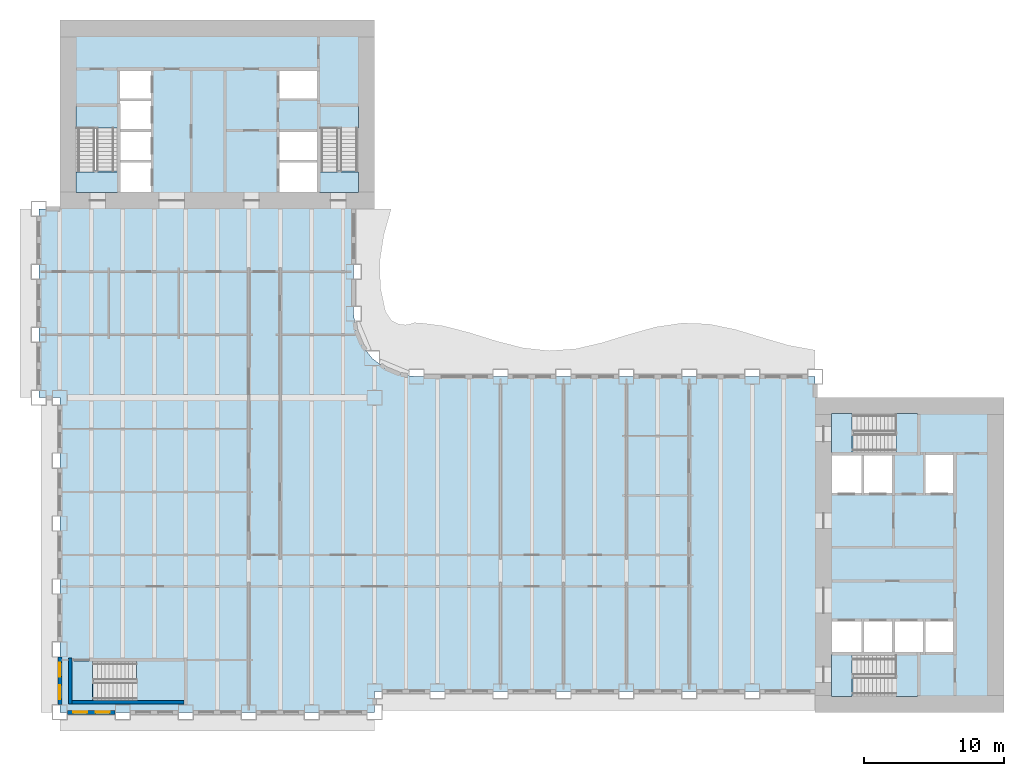
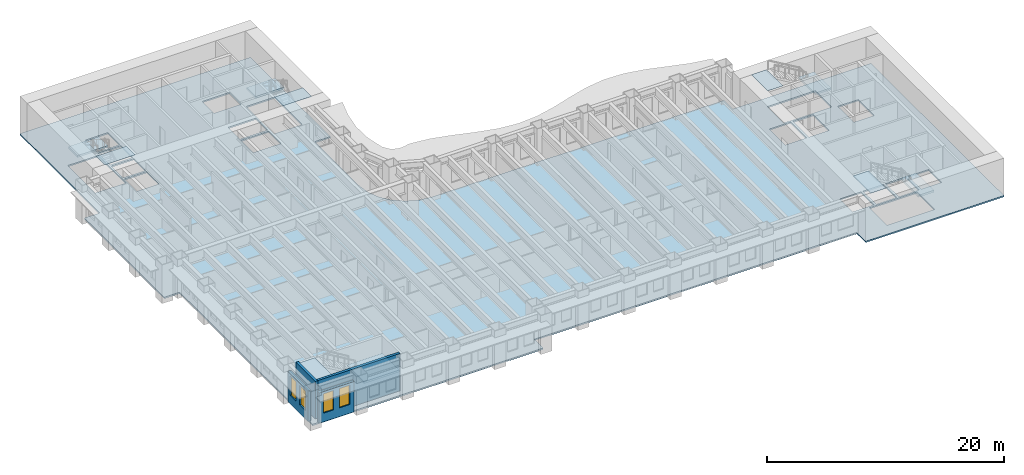
# One storey, part 2 of 15: 11 slabs, 4 walls, 4 windows, 4 openings, 5 elements without a shape of their own.
"""IFC4 building model written with IfcOpenShell, lengths in metres."""

from ifc_helpers import new_model, si_unit, direction, frame, frame_2d, origin, place, context, subcontext, project, spatial, polyline, rectangle, outline, extrude, material, layer, layer_set, type_object, element, fill, aggregate, save


model = new_model("IFC4")

# Units and contexts
model_context = context("Model", 3, precision=1e-05, world=origin(), true_north=direction((0.0, 1.0)))
body_context = subcontext(model_context, "Body", "Model", "MODEL_VIEW")
ifc_project = project(units=[si_unit("LENGTHUNIT", "METRE"), si_unit("AREAUNIT", "SQUARE_METRE"), si_unit("VOLUMEUNIT", "CUBIC_METRE"), si_unit("PLANEANGLEUNIT", "RADIAN"), si_unit("MASSUNIT", "GRAM", prefix="KILO")], contexts=[model_context])

# Site, building, storey
site_placement = place(None, origin())
site = spatial("IfcSite", under=ifc_project, at=site_placement, CompositionType="ELEMENT")
building_placement = place(site_placement, origin())
building = spatial("IfcBuilding", under=site, at=building_placement, Name="Sennacour Bend Tower", CompositionType="ELEMENT")
storey_placement = place(building_placement, frame((0.0, 0.0, 65.0)))
storey = spatial("IfcBuildingStorey", under=building, at=storey_placement, Name="L14", CompositionType="ELEMENT", Elevation=65.0)

# Slabs
ifc_material_1 = material(Name="Concrete C30/37", Category="concrete")
ifc_layer_1 = layer(ifc_material_1, 0.14990234375, Name="Concrete C30/37", Category="concrete")
ifc_layer_set_1 = layer_set([ifc_layer_1], Name="Concrete C30/37")
slab_type_1 = type_object("IfcSlabType", Name="Floor slab 150", PredefinedType="FLOOR", material=ifc_layer_set_1)
slab_1_placement = place(storey_placement, frame((0.0, 0.0, -0.14990234375)))
element("IfcSlab", 1, at=slab_1_placement, inside=storey, type_object=slab_type_1, Name="Floor slab L14-01", PredefinedType="FLOOR", context=body_context, shape_type="SweptSolid", body=[
    extrude(outline(polyline([(0.0, 22.5), (-1.5, 22.5), (-1.5, 36.0), (0.0, 36.0), (0.0, 49.5), (22.5, 49.5), (22.5, 36.0), (21.0, 36.0), (21.0, 28.5), (21.1533203125, 27.335205078125), (21.602783203125, 26.25), (22.318115234375, 25.318115234375), (23.25, 24.602783203125), (24.335205078125, 24.1533203125), (25.5, 24.0), (54.0, 24.0), (54.0, 22.5), (67.5, 22.5), (67.5, 0.0), (54.0, 0.0), (54.0, 1.5), (22.5, 1.5), (22.5, 0.0), (0.0, 0.0), (0.0, 22.5)]), holes=[polyline([(8.800048828125, 0.949951171875), (8.800048828125, 3.5), (2.429931640625, 3.5), (2.429931640625, 0.949951171875), (8.800048828125, 0.949951171875)]), polyline([(6.5, 37.199951171875), (6.5, 39.300048828125), (4.300048828125, 39.300048828125), (4.300048828125, 37.199951171875), (6.5, 37.199951171875)]), polyline([(18.39990234375, 37.199951171875), (18.39990234375, 39.300048828125), (15.699951171875, 39.300048828125), (15.699951171875, 37.199951171875), (18.39990234375, 37.199951171875)]), polyline([(6.5, 39.5), (6.5, 41.5), (4.300048828125, 41.5), (4.300048828125, 39.5), (6.5, 39.5)]), polyline([(18.39990234375, 39.5), (18.39990234375, 41.5), (15.699951171875, 41.5), (15.699951171875, 39.5), (18.39990234375, 39.5)]), polyline([(4.125, 38.72998046875), (4.125, 43.39990234375), (1.14990234375, 43.39990234375), (1.14990234375, 38.72998046875), (4.125, 38.72998046875)]), polyline([(21.35009765625, 38.72998046875), (21.35009765625, 43.39990234375), (18.574951171875, 43.39990234375), (18.574951171875, 38.72998046875), (21.35009765625, 38.72998046875)]), polyline([(4.300048828125, 41.699951171875), (6.5, 41.699951171875), (6.5, 43.699951171875), (4.300048828125, 43.699951171875), (4.300048828125, 41.699951171875)]), polyline([(4.300048828125, 43.89990234375), (6.5, 43.89990234375), (6.5, 45.89990234375), (4.300048828125, 45.89990234375), (4.300048828125, 43.89990234375)]), polyline([(18.39990234375, 43.89990234375), (18.39990234375, 45.89990234375), (15.699951171875, 45.89990234375), (15.699951171875, 43.89990234375), (18.39990234375, 43.89990234375)]), polyline([(61.39990234375, 1.14990234375), (61.39990234375, 4.125), (56.72998046875, 4.125), (56.72998046875, 1.14990234375), (61.39990234375, 1.14990234375)]), polyline([(57.300048828125, 4.300048828125), (57.300048828125, 6.5), (55.199951171875, 6.5), (55.199951171875, 4.300048828125), (57.300048828125, 4.300048828125)]), polyline([(57.5, 4.300048828125), (59.5, 4.300048828125), (59.5, 6.5), (57.5, 6.5), (57.5, 4.300048828125)]), polyline([(59.699951171875, 4.300048828125), (61.699951171875, 4.300048828125), (61.699951171875, 6.5), (59.699951171875, 6.5), (59.699951171875, 4.300048828125)]), polyline([(63.89990234375, 4.300048828125), (63.89990234375, 6.5), (61.89990234375, 6.5), (61.89990234375, 4.300048828125), (63.89990234375, 4.300048828125)]), polyline([(57.300048828125, 15.699951171875), (57.300048828125, 18.39990234375), (55.199951171875, 18.39990234375), (55.199951171875, 15.699951171875), (57.300048828125, 15.699951171875)]), polyline([(59.5, 15.699951171875), (59.5, 18.39990234375), (57.5, 18.39990234375), (57.5, 15.699951171875), (59.5, 15.699951171875)]), polyline([(61.89990234375, 15.699951171875), (63.89990234375, 15.699951171875), (63.89990234375, 18.39990234375), (61.89990234375, 18.39990234375), (61.89990234375, 15.699951171875)]), polyline([(56.72998046875, 18.574951171875), (61.39990234375, 18.574951171875), (61.39990234375, 21.35009765625), (56.72998046875, 21.35009765625), (56.72998046875, 18.574951171875)])]), origin(), (0.0, 0.0, 1.0), 0.14990234375),
])
ifc_material_2 = material(Name="Concrete C40/50", Category="concrete")
ifc_layer_2 = layer(ifc_material_2, 0.034912109375, Name="Concrete C40/50", Category="concrete")
ifc_layer_set_2 = layer_set([ifc_layer_2], Name="Concrete C40/50")
slab_type_2 = type_object("IfcSlabType", Name="Stair arrival nib 35", PredefinedType="FLOOR", material=ifc_layer_set_2)
slab_2_placement = place(storey_placement, frame((0.0, 0.0, 3.815185546875)))
element("IfcSlab", 2, at=slab_2_placement, inside=storey, type_object=slab_type_2, Name="L14 SA1 stair arrival nib", PredefinedType="FLOOR", context=body_context, shape_type="SweptSolid", body=[
    extrude(outline(polyline([(56.64208984375, 4.125), (55.14990234375, 4.125), (55.14990234375, 1.14990234375), (56.64208984375, 1.14990234375), (56.64208984375, 4.125)])), origin(), (0.0, 0.0, 1.0), 0.034912109375),
])
slab_3_placement = place(storey_placement, frame((0.0, 0.0, 3.815185546875)))
element("IfcSlab", 3, at=slab_3_placement, inside=storey, type_object=slab_type_2, Name="L14 SA2 stair arrival nib", PredefinedType="FLOOR", context=body_context, shape_type="SweptSolid", body=[
    extrude(outline(polyline([(56.64208984375, 21.35009765625), (55.14990234375, 21.35009765625), (55.14990234375, 18.574951171875), (56.64208984375, 18.574951171875), (56.64208984375, 21.35009765625)])), origin(), (0.0, 0.0, 1.0), 0.034912109375),
])
slab_4_placement = place(storey_placement, frame((0.0, 0.0, 3.815185546875)))
element("IfcSlab", 4, at=slab_4_placement, inside=storey, type_object=slab_type_2, Name="L14 SB1 stair arrival nib", PredefinedType="FLOOR", context=body_context, shape_type="SweptSolid", body=[
    extrude(outline(polyline([(1.14990234375, 38.64208984375), (1.14990234375, 37.14990234375), (4.125, 37.14990234375), (4.125, 38.64208984375), (1.14990234375, 38.64208984375)])), origin(), (0.0, 0.0, 1.0), 0.034912109375),
])
slab_5_placement = place(storey_placement, frame((0.0, 0.0, 3.815185546875)))
element("IfcSlab", 5, at=slab_5_placement, inside=storey, type_object=slab_type_2, Name="L14 SB2 stair arrival nib", PredefinedType="FLOOR", context=body_context, shape_type="SweptSolid", body=[
    extrude(outline(polyline([(18.574951171875, 38.64208984375), (18.574951171875, 37.14990234375), (21.35009765625, 37.14990234375), (21.35009765625, 38.64208984375), (18.574951171875, 38.64208984375)])), origin(), (0.0, 0.0, 1.0), 0.034912109375),
])
slab_6_placement = place(storey_placement, frame((0.0, 0.0, 3.815185546875)))
element("IfcSlab", 6, at=slab_6_placement, inside=storey, type_object=slab_type_2, Name="L14 SK1 stair arrival nib", PredefinedType="FLOOR", context=body_context, shape_type="SweptSolid", body=[
    extrude(outline(polyline([(2.342041015625, 3.675048828125), (0.800048828125, 3.675048828125), (0.800048828125, 0.800048828125), (2.342041015625, 0.800048828125), (2.342041015625, 3.675048828125)])), origin(), (0.0, 0.0, 1.0), 0.034912109375),
])

# Stair, slab
stair_type = type_object("IfcStairType", Name="ST-DOGLEG", PredefinedType="HALF_TURN_STAIR", material=ifc_material_2)
stair_1_placement = place(storey_placement, origin())
stair_1 = element("IfcStair", 7, at=stair_1_placement, inside=storey, type_object=stair_type, Name="L14 Exit stair A1", PredefinedType="HALF_TURN_STAIR")
ifc_layer_3 = layer(ifc_material_2, 0.199951171875, Name="Concrete C40/50", Category="concrete")
ifc_layer_set_3 = layer_set([ifc_layer_3], Name="Concrete C40/50")
slab_type_3 = type_object("IfcSlabType", Name="Stair landing 200", PredefinedType="LANDING", material=ifc_layer_set_3)
slab_7_placement = place(storey_placement, frame((0.0, 0.0, 1.800048828125)))
slab_7 = element("IfcSlab", 8, at=slab_7_placement, type_object=slab_type_3, Name="SA1 landing 1", PredefinedType="LANDING", context=body_context, shape_type="SweptSolid", body=[
    extrude(outline(polyline([(59.780029296875, 1.14990234375), (61.324951171875, 1.14990234375), (61.324951171875, 4.125), (59.780029296875, 4.125), (59.780029296875, 1.14990234375)])), origin(), (0.0, 0.0, 1.0), 0.199951171875),
])
aggregate(stair_1, [slab_7])

stair_2_placement = place(storey_placement, origin())
stair_2 = element("IfcStair", 9, at=stair_2_placement, inside=storey, type_object=stair_type, Name="L14 Exit stair A2", PredefinedType="HALF_TURN_STAIR")
slab_8_placement = place(storey_placement, frame((0.0, 0.0, 1.800048828125)))
slab_8 = element("IfcSlab", 10, at=slab_8_placement, type_object=slab_type_3, Name="SA2 landing 1", PredefinedType="LANDING", context=body_context, shape_type="SweptSolid", body=[
    extrude(outline(polyline([(59.780029296875, 18.574951171875), (61.324951171875, 18.574951171875), (61.324951171875, 21.35009765625), (59.780029296875, 21.35009765625), (59.780029296875, 18.574951171875)])), origin(), (0.0, 0.0, 1.0), 0.199951171875),
])
aggregate(stair_2, [slab_8])

stair_3_placement = place(storey_placement, origin())
stair_3 = element("IfcStair", 11, at=stair_3_placement, inside=storey, type_object=stair_type, Name="L14 Exit stair B1", PredefinedType="HALF_TURN_STAIR")
slab_9_placement = place(storey_placement, frame((0.0, 0.0, 1.800048828125)))
slab_9 = element("IfcSlab", 12, at=slab_9_placement, type_object=slab_type_3, Name="SB1 landing 1", PredefinedType="LANDING", context=body_context, shape_type="SweptSolid", body=[
    extrude(outline(polyline([(1.14990234375, 41.780029296875), (4.125, 41.780029296875), (4.125, 43.324951171875), (1.14990234375, 43.324951171875), (1.14990234375, 41.780029296875)])), origin(), (0.0, 0.0, 1.0), 0.199951171875),
])
aggregate(stair_3, [slab_9])

stair_4_placement = place(storey_placement, origin())
stair_4 = element("IfcStair", 13, at=stair_4_placement, inside=storey, type_object=stair_type, Name="L14 Exit stair B2", PredefinedType="HALF_TURN_STAIR")
slab_10_placement = place(storey_placement, frame((0.0, 0.0, 1.800048828125)))
slab_10 = element("IfcSlab", 14, at=slab_10_placement, type_object=slab_type_3, Name="SB2 landing 1", PredefinedType="LANDING", context=body_context, shape_type="SweptSolid", body=[
    extrude(outline(polyline([(18.574951171875, 41.780029296875), (21.35009765625, 41.780029296875), (21.35009765625, 43.324951171875), (18.574951171875, 43.324951171875), (18.574951171875, 41.780029296875)])), origin(), (0.0, 0.0, 1.0), 0.199951171875),
])
aggregate(stair_4, [slab_10])

stair_5_placement = place(storey_placement, origin())
stair_5 = element("IfcStair", 15, at=stair_5_placement, inside=storey, type_object=stair_type, Name="L14 Exit stair K1", PredefinedType="HALF_TURN_STAIR")
slab_11_placement = place(storey_placement, frame((0.0, 0.0, 1.800048828125)))
slab_11 = element("IfcSlab", 16, at=slab_11_placement, type_object=slab_type_3, Name="SK1 landing 1", PredefinedType="LANDING", context=body_context, shape_type="SweptSolid", body=[
    extrude(outline(polyline([(5.47998046875, 0.800048828125), (8.925048828125, 0.800048828125), (8.925048828125, 3.675048828125), (5.47998046875, 3.675048828125), (5.47998046875, 0.800048828125)])), origin(), (0.0, 0.0, 1.0), 0.199951171875),
])
aggregate(stair_5, [slab_11])

# Wall, openings, windows
ifc_material_3 = material(Name="Warm limestone cladding", Category="masonry")
ifc_layer_4 = layer(ifc_material_3, 0.050048828125, Name="Warm limestone cladding", Category="masonry")
ifc_material_4 = material(Name="Precast concrete C40/50", Category="concrete")
ifc_layer_5 = layer(ifc_material_4, 0.25, Name="Precast concrete C40/50", Category="concrete")
ifc_layer_set_4 = layer_set([ifc_layer_4, ifc_layer_5], Name="Precast concrete C40/50 with limestone cladding")
wall_type_1 = type_object("IfcWallType", Name="STONE-CLAD PRECAST SPANDREL 300", PredefinedType="STANDARD", material=ifc_layer_set_4)
wall_1_placement = place(storey_placement, frame((0.550048828125, 0.0, 0.0), z_axis=(0.0, 0.0, 1.0), x_axis=(1.0, 0.0, 0.0)))
wall_1 = element("IfcWall", 17, at=wall_1_placement, inside=storey, type_object=wall_type_1, Name="Stone spandrel and pier wall L14 00.00", PredefinedType="STANDARD", context=body_context, shape_type="SweptSolid", body=[
    extrude(rectangle(XDim=3.39990234375, YDim=0.300048828125, at=frame_2d((1.699951171875, 0.0))), origin(), (0.0, 0.0, 1.0), 3.14404296875),
])
opening_1_placement = place(wall_1_placement, frame((0.39990234375, 0.0, 0.89990234375)))
opening_1 = element("IfcOpeningElement", 18, at=opening_1_placement, cuts=wall_1, Name="Opening W8", PredefinedType="OPENING", context=body_context, shape_type="SweptSolid", body=[
    extrude(rectangle(XDim=1.0, YDim=2.0, at=frame_2d((0.5, 1.0))), frame((0.0, 0.16015625, 0.0), z_axis=(0.0, -1.0, 0.0), x_axis=(1.0, 0.0, 0.0)), (0.0, 0.0, 1.0), 0.320068359375),
])
opening_2_placement = place(wall_1_placement, frame((2.0, 0.0, 0.89990234375)))
opening_2 = element("IfcOpeningElement", 19, at=opening_2_placement, cuts=wall_1, Name="Opening W8", PredefinedType="OPENING", context=body_context, shape_type="SweptSolid", body=[
    extrude(rectangle(XDim=1.0, YDim=2.0, at=frame_2d((0.5, 1.0))), frame((0.0, 0.16015625, 0.0), z_axis=(0.0, -1.0, 0.0), x_axis=(1.0, 0.0, 0.0)), (0.0, 0.0, 1.0), 0.320068359375),
])
ifc_material_5 = material(Name="Clear low-emissivity glass", Category="glass")
window_type = type_object("IfcWindowType", Name="WIN-RIBBON-1000x2000", PartitioningType="SINGLE_PANEL", PredefinedType="WINDOW", material=ifc_material_5)
window_1_placement = place(opening_1_placement, origin())
window_1 = element("IfcWindow", 20, at=window_1_placement, inside=storey, type_object=window_type, Name="Ribbon window L14 00.00.0", OverallHeight=2.0, OverallWidth=1.0, PartitioningType="SINGLE_PANEL", PredefinedType="WINDOW", context=body_context, shape_type="SweptSolid", body=[
    extrude(rectangle(XDim=1.0, YDim=2.0, at=frame_2d((0.5, 1.0))), frame((0.0, 0.030029296875, 0.0), z_axis=(0.0, -1.0, 0.0), x_axis=(1.0, 0.0, 0.0)), (0.0, 0.0, 1.0), 0.06005859375),
])
fill(opening_1, window_1)
window_2_placement = place(opening_2_placement, origin())
window_2 = element("IfcWindow", 21, at=window_2_placement, inside=storey, type_object=window_type, Name="Ribbon window L14 00.00.1", OverallHeight=2.0, OverallWidth=1.0, PartitioningType="SINGLE_PANEL", PredefinedType="WINDOW", context=body_context, shape_type="SweptSolid", body=[
    extrude(rectangle(XDim=1.0, YDim=2.0, at=frame_2d((0.5, 1.0))), frame((0.0, 0.030029296875, 0.0), z_axis=(0.0, -1.0, 0.0), x_axis=(1.0, 0.0, 0.0)), (0.0, 0.0, 1.0), 0.06005859375),
])
fill(opening_2, window_2)

wall_2_placement = place(storey_placement, frame((0.0, 3.949951171875, 0.0), z_axis=(0.0, 0.0, 1.0), x_axis=(0.0, -1.0, 0.0)))
wall_2 = element("IfcWall", 22, at=wall_2_placement, inside=storey, type_object=wall_type_1, Name="Stone spandrel and pier wall L14 23.04", PredefinedType="STANDARD", context=body_context, shape_type="SweptSolid", body=[
    extrude(rectangle(XDim=3.39990234375, YDim=0.300048828125, at=frame_2d((1.699951171875, 0.0))), origin(), (0.0, 0.0, 1.0), 3.14404296875),
])
opening_3_placement = place(wall_2_placement, frame((0.39990234375, 0.0, 0.89990234375)))
opening_3 = element("IfcOpeningElement", 23, at=opening_3_placement, cuts=wall_2, Name="Opening W8", PredefinedType="OPENING", context=body_context, shape_type="SweptSolid", body=[
    extrude(rectangle(XDim=1.0, YDim=2.0, at=frame_2d((0.5, 1.0))), frame((0.0, 0.16015625, 0.0), z_axis=(0.0, -1.0, 0.0), x_axis=(1.0, 0.0, 0.0)), (0.0, 0.0, 1.0), 0.320068359375),
])
opening_4_placement = place(wall_2_placement, frame((2.0, 0.0, 0.89990234375)))
opening_4 = element("IfcOpeningElement", 24, at=opening_4_placement, cuts=wall_2, Name="Opening W8", PredefinedType="OPENING", context=body_context, shape_type="SweptSolid", body=[
    extrude(rectangle(XDim=1.0, YDim=2.0, at=frame_2d((0.5, 1.0))), frame((0.0, 0.16015625, 0.0), z_axis=(0.0, -1.0, 0.0), x_axis=(1.0, 0.0, 0.0)), (0.0, 0.0, 1.0), 0.320068359375),
])
window_3_placement = place(opening_3_placement, origin())
window_3 = element("IfcWindow", 25, at=window_3_placement, inside=storey, type_object=window_type, Name="Ribbon window L14 23.04.0", OverallHeight=2.0, OverallWidth=1.0, PartitioningType="SINGLE_PANEL", PredefinedType="WINDOW", context=body_context, shape_type="SweptSolid", body=[
    extrude(rectangle(XDim=1.0, YDim=2.0, at=frame_2d((0.5, 1.0))), frame((0.0, 0.030029296875, 0.0), z_axis=(0.0, -1.0, 0.0), x_axis=(1.0, 0.0, 0.0)), (0.0, 0.0, 1.0), 0.06005859375),
])
fill(opening_3, window_3)
window_4_placement = place(opening_4_placement, origin())
window_4 = element("IfcWindow", 26, at=window_4_placement, inside=storey, type_object=window_type, Name="Ribbon window L14 23.04.1", OverallHeight=2.0, OverallWidth=1.0, PartitioningType="SINGLE_PANEL", PredefinedType="WINDOW", context=body_context, shape_type="SweptSolid", body=[
    extrude(rectangle(XDim=1.0, YDim=2.0, at=frame_2d((0.5, 1.0))), frame((0.0, 0.030029296875, 0.0), z_axis=(0.0, -1.0, 0.0), x_axis=(1.0, 0.0, 0.0)), (0.0, 0.0, 1.0), 0.06005859375),
])
fill(opening_4, window_4)

# Walls
ifc_material_6 = material(Name="Concrete C60/75", Category="concrete")
ifc_layer_6 = layer(ifc_material_6, 0.25, Name="Concrete C60/75", Category="concrete")
ifc_layer_set_5 = layer_set([ifc_layer_6], Name="Concrete C60/75")
wall_type_2 = type_object("IfcWallType", Name="Stair wall 250", PredefinedType="SHEAR", material=ifc_layer_set_5)
wall_3_placement = place(storey_placement, frame((0.72509765625, 0.60009765625, 0.0), z_axis=(0.0, 0.0, 1.0), x_axis=(0.0, 1.0, 0.0)))
element("IfcWall", 27, at=wall_3_placement, inside=storey, type_object=wall_type_2, Name="P-L14-W003", PredefinedType="SHEAR", context=body_context, shape_type="SweptSolid", body=[
    extrude(rectangle(XDim=3.27490234375, YDim=0.25, at=frame_2d((1.637451171875, 0.0))), origin(), (0.0, 0.0, 1.0), 3.85009765625),
])
wall_4_placement = place(storey_placement, frame((0.85009765625, 0.72509765625, 0.0), z_axis=(0.0, 0.0, 1.0), x_axis=(1.0, 0.0, 0.0)))
element("IfcWall", 28, at=wall_4_placement, inside=storey, type_object=wall_type_2, Name="P-L14-W043", PredefinedType="SHEAR", context=body_context, shape_type="SweptSolid", body=[
    extrude(rectangle(XDim=8.02490234375, YDim=0.25, at=frame_2d((4.012451171875, 0.0))), origin(), (0.0, 0.0, 1.0), 3.85009765625),
])

save(model, "model.ifc")
